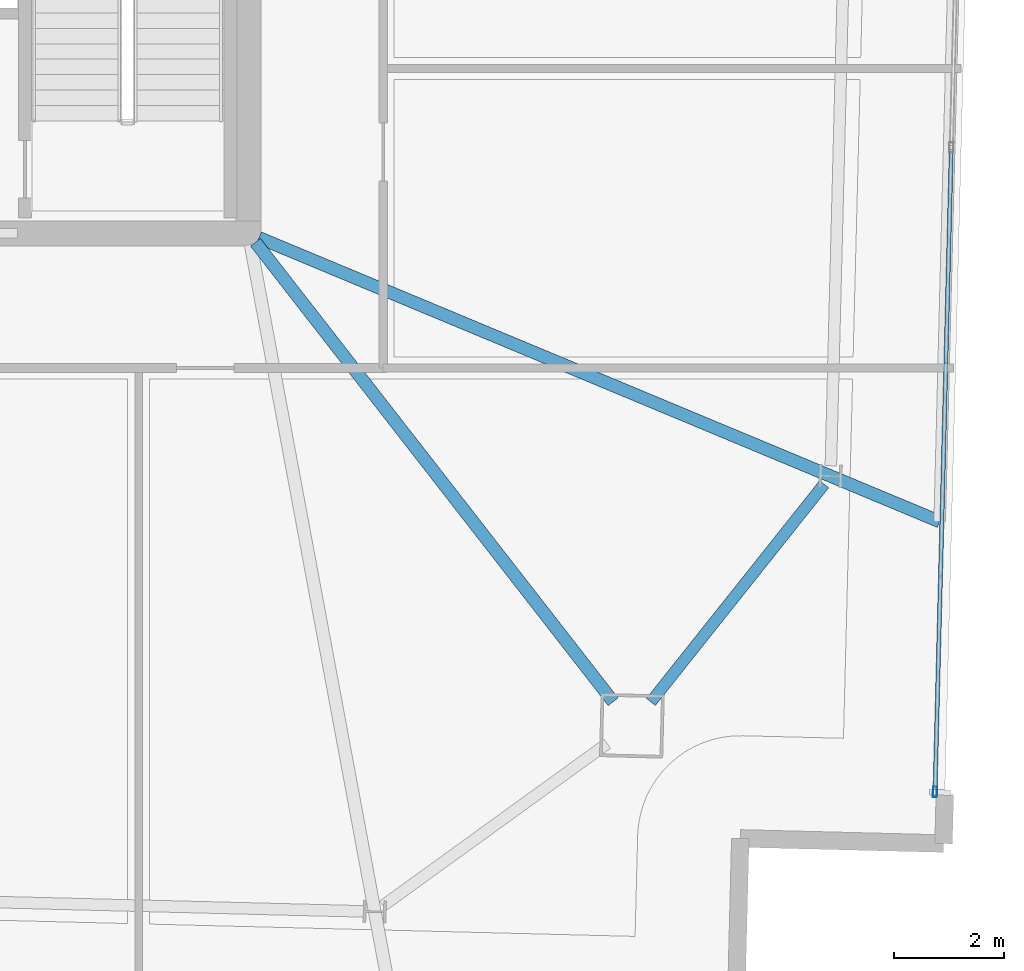
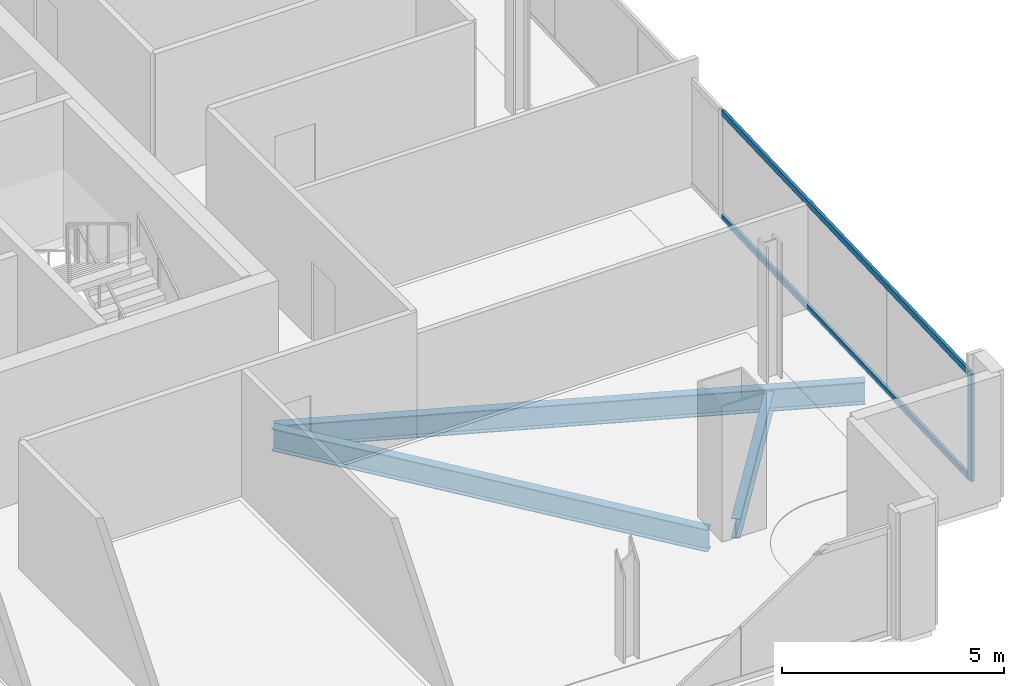
# One storey, part 9 of 25: 3 beams, 3 members, 1 element without a shape of its own.
"""IFC4 building model written with IfcOpenShell, lengths in metres."""

import ifcopenshell
import ifcopenshell.guid

model = None  # the IFC model being written
_history = None  # IfcOwnerHistory: only IFC2X3 demands one
_inside = {}  # id of a spatial element -> (the spatial element, [elements in it])
_under = {}  # id of a project, library or spatial element -> (it, [spatial elements below it])
_declared = {}  # id of a project -> (the project, [libraries it declares])
_typed = {}  # id of a type object -> (the type object, [elements of that type])
_made_of = {}  # id of a material, layer set ... -> (it, [elements and type objects made of it])


def new_model(schema):
    """Start an empty IFC model of exactly this schema.

    Asked for "IFC4X3", IfcOpenShell would pick the latest addendum, in which some entities
    have other attributes; the version numbers below select the first issue.
    IFC2X3 requires an IfcOwnerHistory on every rooted entity: one is made here for all.
    """
    global model, _history
    if schema == "IFC4X3":
        model = ifcopenshell.file(schema_version=(4, 3, 0, 0))
    else:
        model = ifcopenshell.file(schema=schema)
    _inside.clear()
    _under.clear()
    _declared.clear()
    _typed.clear()
    _made_of.clear()
    _history = None
    if model.schema == "IFC2X3":
        org = make("IfcOrganization", Name="unknown")
        user = make(
            "IfcPersonAndOrganization",
            ThePerson=make("IfcPerson", FamilyName="unknown"),
            TheOrganization=org,
        )
        app = make(
            "IfcApplication",
            ApplicationDeveloper=org,
            Version="unknown",
            ApplicationFullName="unknown",
            ApplicationIdentifier="unknown",
        )
        _history = make(
            "IfcOwnerHistory",
            OwningUser=user,
            OwningApplication=app,
            ChangeAction="ADDED",
            CreationDate=0,
        )
    return model


def make(cls, **values):
    """One entity of the class cls with the attributes given. An attribute that is None is left unset."""
    return model.create_entity(
        cls, **{name: value for name, value in values.items() if value is not None}
    )


def rooted(cls, **values):
    """An entity with a GlobalId (a new one), such as an element, a storey or a relation."""
    return make(cls, GlobalId=ifcopenshell.guid.new(), OwnerHistory=_history, **values)


def si_unit(unit_type, name, prefix=None):
    """IfcSIUnit, for example si_unit("LENGTHUNIT", "METRE", prefix="MILLI")."""
    return make("IfcSIUnit", UnitType=unit_type, Prefix=prefix, Name=name)


def assignment(units):
    """IfcUnitAssignment: the units of a project."""
    return None if units is None else make("IfcUnitAssignment", Units=units)


def point(xyz):
    """IfcCartesianPoint."""
    return None if xyz is None else make("IfcCartesianPoint", Coordinates=xyz)


def direction(xyz):
    """IfcDirection."""
    return None if xyz is None else make("IfcDirection", DirectionRatios=xyz)


def frame(location, z_axis=None, x_axis=None):
    """IfcAxis2Placement3D, a coordinate frame: its origin and axes. An axis left out is left unset."""
    return make(
        "IfcAxis2Placement3D",
        Location=point(location),
        Axis=direction(z_axis),
        RefDirection=direction(x_axis),
    )


def frame_2d(location, x_axis=None):
    """IfcAxis2Placement2D, a coordinate frame in the plane: its origin and x axis."""
    return make(
        "IfcAxis2Placement2D", Location=point(location), RefDirection=direction(x_axis)
    )


def origin():
    """The frame at (0, 0, 0) with its axes left unset."""
    return frame((0.0, 0.0, 0.0))


def origin_2d():
    """The frame at (0, 0) in the plane with its x axis left unset."""
    return frame_2d((0.0, 0.0))


def place(relative_to, where):
    """IfcLocalPlacement: puts the frame where relative to a parent placement (None: the world)."""
    return make(
        "IfcLocalPlacement", PlacementRelTo=relative_to, RelativePlacement=where
    )


def context(
    kind, dimensions, precision=None, world=None, true_north=None, identifier=None
):
    """IfcGeometricRepresentationContext, for example the 3D "Model" context."""
    return make(
        "IfcGeometricRepresentationContext",
        ContextIdentifier=identifier,
        ContextType=kind,
        CoordinateSpaceDimension=dimensions,
        Precision=precision,
        WorldCoordinateSystem=world,
        TrueNorth=true_north,
    )


def subcontext(parent, identifier, kind, view, scale=None):
    """IfcGeometricRepresentationSubContext, for example "Body" below "Model"."""
    return make(
        "IfcGeometricRepresentationSubContext",
        ContextIdentifier=identifier,
        ContextType=kind,
        ParentContext=parent,
        TargetScale=scale,
        TargetView=view,
    )


def project(units=None, contexts=None):
    """IfcProject with its units and contexts."""
    return rooted(
        "IfcProject",
        Name="project",
        RepresentationContexts=contexts,
        UnitsInContext=assignment(units),
    )


def spatial(cls, under=None, at=None, **own):
    """A site, building, storey or space (cls), placed at a placement, below another one or the project."""
    s = rooted(cls, ObjectPlacement=at, **own)
    if under is not None:
        _under.setdefault(under.id(), (under, []))[1].append(s)
    return s


def profile(cls, at=None, kind="AREA", **sizes):
    """A parametric profile (cls). Its sizes go by their IFC names, for example OverallWidth=200.0."""
    return make(cls, ProfileType=kind, Position=at, **sizes)


def hollow_rectangle(**sizes):
    """IfcRectangleHollowProfileDef."""
    return profile("IfcRectangleHollowProfileDef", **sizes)


def i_section(**sizes):
    """IfcIShapeProfileDef."""
    return profile("IfcIShapeProfileDef", **sizes)


def extrude(swept, where, along, depth):
    """IfcExtrudedAreaSolid: the profile swept, set in the frame where, extruded along a direction by depth."""
    return make(
        "IfcExtrudedAreaSolid",
        SweptArea=swept,
        Position=where,
        ExtrudedDirection=direction(along),
        Depth=depth,
    )


def shape(context_of_items, identifier, shape_type, items):
    """IfcShapeRepresentation: the items that make up one representation, for example the "Body"."""
    return make(
        "IfcShapeRepresentation",
        ContextOfItems=context_of_items,
        RepresentationIdentifier=identifier,
        RepresentationType=shape_type,
        Items=items,
    )


def material(Name=None, Category=None):
    """IfcMaterial."""
    return make("IfcMaterial", Name=Name, Category=Category)


def material_profile(
    of_material, cross_section, Name=None, Category=None, Priority=None
):
    """IfcMaterialProfile: a cross section and its material."""
    return make(
        "IfcMaterialProfile",
        Name=Name,
        Material=of_material,
        Profile=cross_section,
        Priority=Priority,
        Category=Category,
    )


def profile_set(profiles, Name=None, composite=None):
    """IfcMaterialProfileSet."""
    return make(
        "IfcMaterialProfileSet",
        Name=Name,
        MaterialProfiles=profiles,
        CompositeProfile=composite,
    )


def made_of(thing, what):
    """Note that an element or type object is made of a material, layer set ...; save() writes the relation."""
    if what is not None:
        _made_of.setdefault(what.id(), (what, []))[1].append(thing)
    return thing


def type_object(cls, material=None, **own):
    """A type object (cls), such as IfcWallType, which elements share."""
    return made_of(rooted(cls, **own), material)


def element(
    cls,
    number,
    at=None,
    inside=None,
    cuts=None,
    type_object=None,
    material=None,
    context=None,
    identifier="Body",
    shape_type=None,
    held_by="IfcProductDefinitionShape",
    body=None,
    shapes=None,
    **own,
):
    """One element of the class cls, such as IfcWall. Its Tag is "e" and its number.

    at: its placement. inside: the storey or other place that contains it. cuts: it is an
    opening in that element (IfcRelVoidsElement). A single representation is given by context,
    identifier, shape_type and body (its items); several are given by shapes. held_by: the class
    of the entity that holds the representations. save() writes the other relations.
    """
    e = rooted(cls, Tag="e%d" % number, ObjectPlacement=at, **own)
    if body is not None:
        shapes = [shape(context, identifier, shape_type, body)]
    if shapes is not None:
        e.Representation = make(held_by, Representations=shapes)
    if inside is not None:
        _inside.setdefault(inside.id(), (inside, []))[1].append(e)
    if cuts is not None:
        rooted(
            "IfcRelVoidsElement", RelatingBuildingElement=cuts, RelatedOpeningElement=e
        )
    if type_object is not None:
        _typed.setdefault(type_object.id(), (type_object, []))[1].append(e)
    return made_of(e, material)


def aggregate(whole, parts):
    """IfcRelAggregates: a whole, such as a stair, and the parts it consists of."""
    return rooted("IfcRelAggregates", RelatingObject=whole, RelatedObjects=parts)


def save(model, path):
    """Write the relations noted so far, then the file.

    IfcRelAggregates (storeys below a building ...), IfcRelContainedInSpatialStructure (elements
    in a storey), IfcRelDefinesByType, IfcRelAssociatesMaterial and IfcRelDeclares: one each for
    every whole, place, type object, material and project.
    """
    for whole, parts in _under.values():
        aggregate(whole, parts)
    for where, things in _inside.values():
        rooted(
            "IfcRelContainedInSpatialStructure",
            RelatedElements=things,
            RelatingStructure=where,
        )
    for kind, things in _typed.values():
        rooted("IfcRelDefinesByType", RelatedObjects=things, RelatingType=kind)
    for what, things in _made_of.values():
        rooted("IfcRelAssociatesMaterial", RelatedObjects=things, RelatingMaterial=what)
    for by, libraries in _declared.values():
        rooted("IfcRelDeclares", RelatingContext=by, RelatedDefinitions=libraries)
    model.write(path)


model = new_model("IFC4")

# Units and contexts
model_context = context("Model", 3, precision=1e-05, world=origin(), true_north=direction((0.0, 1.0)))
body_context = subcontext(model_context, "Body", "Model", "MODEL_VIEW")
ifc_project = project(units=[si_unit("LENGTHUNIT", "METRE"), si_unit("AREAUNIT", "SQUARE_METRE"), si_unit("VOLUMEUNIT", "CUBIC_METRE"), si_unit("PLANEANGLEUNIT", "RADIAN"), si_unit("MASSUNIT", "GRAM", prefix="KILO")], contexts=[model_context])

# Site, building, storey
site_placement = place(None, origin())
site = spatial("IfcSite", under=ifc_project, at=site_placement, CompositionType="ELEMENT")
building_placement = place(site_placement, origin())
building = spatial("IfcBuilding", under=site, at=building_placement, Name="Haldenkirk Collegiate Tower", CompositionType="ELEMENT")
storey_placement = place(building_placement, frame((0.0, 0.0, 325.199951171875)))
storey = spatial("IfcBuildingStorey", under=building, at=storey_placement, Name="L82", CompositionType="ELEMENT", Elevation=325.199951171875)

# Beams
ifc_material_1 = material(Name="Steel ASTM A992 Grade 50", Category="steel")
ifc_material_profile_1 = material_profile(ifc_material_1, i_section(OverallWidth=0.22998046875, OverallDepth=0.616943359375, WebThickness=0.01318359375, FlangeThickness=0.022216796875, at=origin_2d()), Name="W24X94")
ifc_profile_set_1 = profile_set([ifc_material_profile_1], Name="Steel ASTM A992 Grade 50")
beam_type_1 = type_object("IfcBeamType", Name="BM-GIRDER-W24X94", PredefinedType="BEAM", material=ifc_profile_set_1)
beam_1_placement = place(storey_placement, frame((51.635009765625, 9.478271484375, -0.568359375), z_axis=(-0.614347328176, 0.789035715518, 0.0), x_axis=(-0.789035715518, -0.614347328176, 0.0)))
element("IfcBeam", 1, at=beam_1_placement, inside=storey, type_object=beam_type_1, Name="L82 primary floor girder 01", PredefinedType="BEAM", context=body_context, shape_type="SweptSolid", body=[
    extrude(i_section(OverallWidth=0.22998046875, OverallDepth=0.616943359375, WebThickness=0.01318359375, FlangeThickness=0.022216796875, at=origin_2d()), origin(), (0.0, 0.0, 1.0), 10.594970703125),
])
beam_2_placement = place(storey_placement, frame((57.576904296875, 12.7568359375, -0.568359375), z_axis=(-0.923003712411, 0.384791043134, 0.0), x_axis=(-0.384791043134, -0.923003712411, 0.0)))
element("IfcBeam", 2, at=beam_2_placement, inside=storey, type_object=beam_type_1, Name="L82 primary floor girder 05", PredefinedType="BEAM", context=body_context, shape_type="SweptSolid", body=[
    extrude(i_section(OverallWidth=0.22998046875, OverallDepth=0.616943359375, WebThickness=0.01318359375, FlangeThickness=0.022216796875, at=origin_2d()), origin(), (0.0, 0.0, 1.0), 13.421142578125),
])
ifc_material_profile_2 = material_profile(ifc_material_1, i_section(OverallWidth=0.2099609375, OverallDepth=0.537109375, WebThickness=0.010986328125, FlangeThickness=0.017333984375, at=origin_2d()), Name="W21X68")
ifc_profile_set_2 = profile_set([ifc_material_profile_2], Name="Steel ASTM A992 Grade 50")
beam_type_2 = type_object("IfcBeamType", Name="BM-SPANDREL-W21X68", PredefinedType="SPANDREL", material=ifc_profile_set_2)
beam_3_placement = place(storey_placement, frame((52.321533203125, 9.474609375, -0.528564453125), z_axis=(0.622700032294, 0.782460650628, 0.0), x_axis=(-0.782460650628, 0.622700032294, 0.0)))
element("IfcBeam", 3, at=beam_3_placement, inside=storey, type_object=beam_type_2, Name="L82 perimeter spandrel beam 01", PredefinedType="SPANDREL", context=body_context, shape_type="SweptSolid", body=[
    extrude(i_section(OverallWidth=0.2099609375, OverallDepth=0.537109375, WebThickness=0.010986328125, FlangeThickness=0.017333984375, at=origin_2d()), origin(), (0.0, 0.0, 1.0), 5.064453125),
])

# Curtain wall, members
ifc_material_2 = material(Name="Anodised architectural bronze aluminium", Category="aluminium")
curtain_wall_type = type_object("IfcCurtainWallType", Name="CW-SYS2-CONCAVE", PredefinedType="USERDEFINED", material=ifc_material_2)
curtain_wall_placement = place(storey_placement, origin())
curtain_wall = element("IfcCurtainWall", 4, at=curtain_wall_placement, inside=storey, type_object=curtain_wall_type, Name="L82 South concave recessed bronze-anodised curtain wall", ObjectType="UNITISED CURTAIN WALL", PredefinedType="USERDEFINED")
ifc_material_profile_3 = material_profile(ifc_material_2, hollow_rectangle(XDim=0.074951171875, YDim=0.18994140625, WallThickness=0.0048828125, at=origin_2d()), Name="CW-MUL-02")
ifc_profile_set_3 = profile_set([ifc_material_profile_3], Name="Anodised architectural bronze aluminium")
member_type_1 = type_object("IfcMemberType", Name="CW-MUL-02", PredefinedType="MULLION", material=ifc_profile_set_3)
member_1_placement = place(storey_placement, frame((57.492431640625, 7.837890625, 0.0), z_axis=(0.0, 0.0, 1.0), x_axis=(0.99967982494, -0.025303114586, 0.0)))
member_1 = element("IfcMember", 5, at=member_1_placement, type_object=member_type_1, Name="CW-02 mullion 4", PredefinedType="MULLION", context=body_context, shape_type="SweptSolid", body=[
    extrude(hollow_rectangle(XDim=0.074951171875, YDim=0.18994140625, WallThickness=0.0048828125, at=origin_2d()), origin(), (0.0, 0.0, 1.0), 2.947998046875),
])
ifc_material_profile_4 = material_profile(ifc_material_2, hollow_rectangle(XDim=0.074951171875, YDim=0.159912109375, WallThickness=0.0048828125, at=origin_2d()), Name="CW-TRN-02")
ifc_profile_set_4 = profile_set([ifc_material_profile_4], Name="Anodised architectural bronze aluminium")
member_type_2 = type_object("IfcMemberType", Name="CW-TRN-02", PredefinedType="USERDEFINED", material=ifc_profile_set_4)
member_2_placement = place(storey_placement, frame((57.7880859375, 19.52587890625, 0.03759765625), z_axis=(-0.025285291136, -0.999680275914, 0.0), x_axis=(0.999680275914, -0.025285291136, 0.0)))
member_2 = element("IfcMember", 6, at=member_2_placement, type_object=member_type_2, Name="CW-02 transom 3.1", ObjectType="TRANSOM", PredefinedType="USERDEFINED", context=body_context, shape_type="SweptSolid", body=[
    extrude(hollow_rectangle(XDim=0.074951171875, YDim=0.159912109375, WallThickness=0.0048828125, at=origin_2d()), origin(), (0.0, 0.0, 1.0), 11.654052734375),
])
member_3_placement = place(storey_placement, frame((57.7880859375, 19.52587890625, 2.91064453125), z_axis=(-0.025285291136, -0.999680275914, 0.0), x_axis=(0.999680275914, -0.025285291136, 0.0)))
member_3 = element("IfcMember", 7, at=member_3_placement, type_object=member_type_2, Name="CW-02 transom 3.2", ObjectType="TRANSOM", PredefinedType="USERDEFINED", context=body_context, shape_type="SweptSolid", body=[
    extrude(hollow_rectangle(XDim=0.074951171875, YDim=0.159912109375, WallThickness=0.0048828125, at=origin_2d()), origin(), (0.0, 0.0, 1.0), 11.654052734375),
])
aggregate(curtain_wall, [member_1, member_2, member_3])

save(model, "model.ifc")
